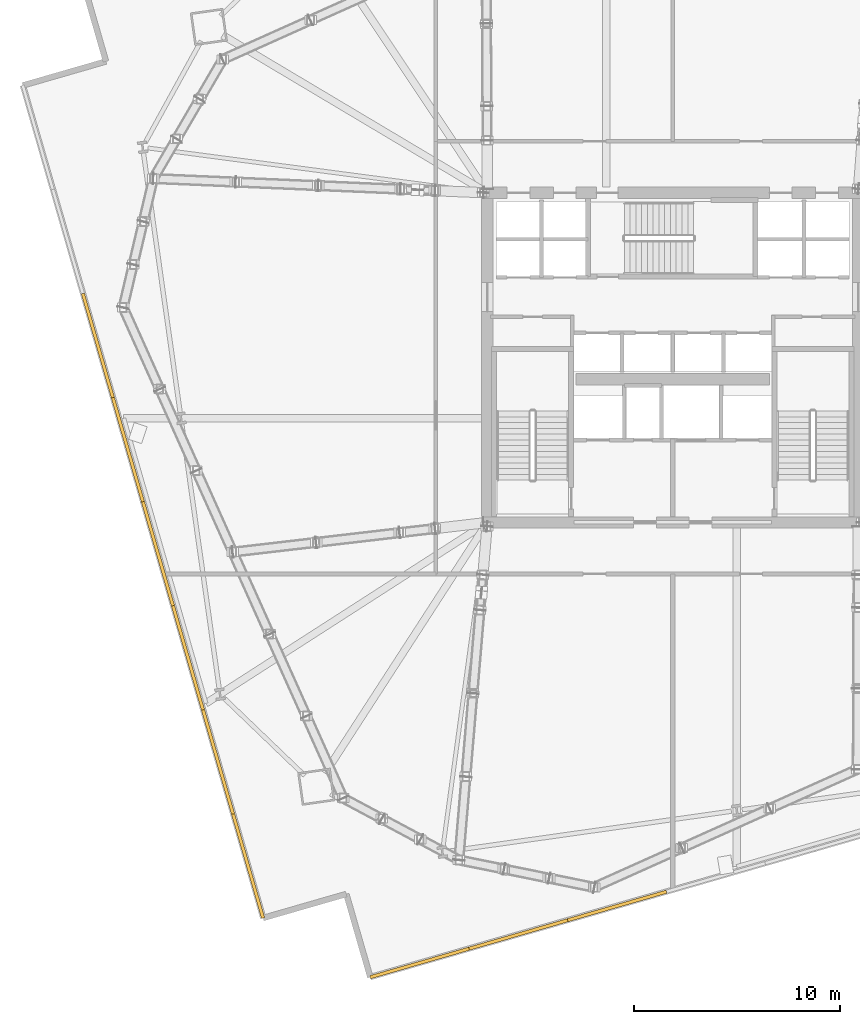
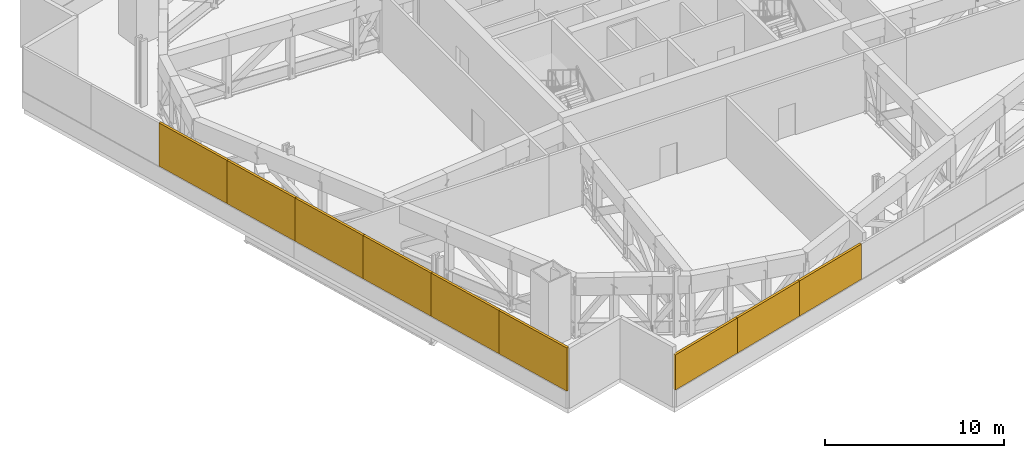
# One storey, part 15 of 19: 9 shading devices.
"""IFC4 building model written with IfcOpenShell, lengths in metres."""

from ifc_helpers import new_model, si_unit, direction, frame, origin, origin_2d, place, context, subcontext, project, spatial, rectangle, extrude, source, transform, mapped, material, layer, layer_set, type_object, element, save


model = new_model("IFC4")

# Units and contexts
model_context = context("Model", 3, precision=1e-05, world=origin(), true_north=direction((0.0, 1.0)))
body_context = subcontext(model_context, "Body", "Model", "MODEL_VIEW")
ifc_project = project(units=[si_unit("LENGTHUNIT", "METRE"), si_unit("AREAUNIT", "SQUARE_METRE"), si_unit("VOLUMEUNIT", "CUBIC_METRE"), si_unit("PLANEANGLEUNIT", "RADIAN"), si_unit("MASSUNIT", "GRAM", prefix="KILO")], contexts=[model_context])

# Site, building, storey
site_placement = place(None, origin())
site = spatial("IfcSite", under=ifc_project, at=site_placement, CompositionType="ELEMENT")
building_placement = place(site_placement, origin())
building = spatial("IfcBuilding", under=site, at=building_placement, Name="Haldenkirk Collegiate Tower", CompositionType="ELEMENT")
storey_placement = place(building_placement, frame((0.0, 0.0, 81.449951171875)))
storey = spatial("IfcBuildingStorey", under=building, at=storey_placement, Name="L19", CompositionType="ELEMENT", Elevation=81.449951171875)

# Shading devices
ifc_material = material(Name="Anodised architectural bronze aluminium", Category="aluminium")
ifc_layer = layer(ifc_material, 0.139892578125)
ifc_layer_set = layer_set([ifc_layer], Name="Anodised architectural bronze aluminium")
shading_device_type = type_object("IfcShadingDeviceType", Name="SHD-LOUVRE-CROWN", PredefinedType="JALOUSIE", material=ifc_layer_set)
shared_shape_1 = source(origin(), body_context, "Body", "SweptSolid", [
    extrude(rectangle(XDim=4.989013671875, YDim=0.159912109375, at=origin_2d()), origin(), (0.0, 0.0, 1.0), 2.39111328125),
])
for number, where, z_axis, x_axis, name in (
    (1, (33.2978515625, -0.618408203125, 1.14990234375), (0.0, 0.0, 1.0), (-0.960779154158, -0.277314653302, 0.0), "L19 mechanical intake louvre screen S7"),
    (2, (28.504638671875, -2.001953125, 1.14990234375), (0.0, 0.0, 1.0), (-0.960779154158, -0.277314653302, 0.0), "L19 mechanical intake louvre screen S8"),
    (3, (23.71142578125, -3.38525390625, 1.14990234375), (0.0, 0.0, 1.0), (-0.960779154158, -0.277314653302, 0.0), "L19 mechanical intake louvre screen S9"),
):
    element("IfcShadingDevice", number, at=place(storey_placement, frame(where, z_axis=z_axis, x_axis=x_axis)), inside=storey, type_object=shading_device_type, Name=name, PredefinedType="JALOUSIE", context=body_context, shape_type="MappedRepresentation", body=[
        mapped(shared_shape_1, transform((0.0, 0.0, 0.0), x_axis=(1.0, 0.0, 0.0), y_axis=(0.0, 1.0, 0.0), z_axis=(0.0, 0.0, 1.0), scale=1.0)),
    ])
shared_shape_2 = source(origin(), body_context, "Body", "SweptSolid", [
    extrude(rectangle(XDim=5.259521484375, YDim=0.159912109375, at=origin_2d()), origin(), (0.0, 0.0, 1.0), 2.93994140625),
])
for number, where, z_axis, x_axis, name in (
    (4, (15.385498046875, 1.320068359375, 1.150146484375), (0.0, 0.0, 1.0), (-0.277314653302, 0.960779154158, 0.0), "L19 mechanical intake louvre screen W1"),
    (5, (13.927001953125, 6.373046875, 1.150146484375), (0.0, 0.0, 1.0), (-0.277314653302, 0.960779154158, 0.0), "L19 mechanical intake louvre screen W2"),
    (6, (12.468505859375, 11.42626953125, 1.150146484375), (0.0, 0.0, 1.0), (-0.277314653302, 0.960779154158, 0.0), "L19 mechanical intake louvre screen W3"),
    (7, (11.010009765625, 16.4794921875, 1.150146484375), (0.0, 0.0, 1.0), (-0.277314653302, 0.960779154158, 0.0), "L19 mechanical intake louvre screen W4"),
    (8, (9.551513671875, 21.532470703125, 1.150146484375), (0.0, 0.0, 1.0), (-0.277314653302, 0.960779154158, 0.0), "L19 mechanical intake louvre screen W5"),
    (9, (8.093017578125, 26.585693359375, 1.150146484375), (0.0, 0.0, 1.0), (-0.277314653302, 0.960779154158, 0.0), "L19 mechanical intake louvre screen W6"),
):
    element("IfcShadingDevice", number, at=place(storey_placement, frame(where, z_axis=z_axis, x_axis=x_axis)), inside=storey, type_object=shading_device_type, Name=name, PredefinedType="JALOUSIE", context=body_context, shape_type="MappedRepresentation", body=[
        mapped(shared_shape_2, transform((0.0, 0.0, 0.0), x_axis=(1.0, 0.0, 0.0), y_axis=(0.0, 1.0, 0.0), z_axis=(0.0, 0.0, 1.0), scale=1.0)),
    ])

save(model, "model.ifc")
